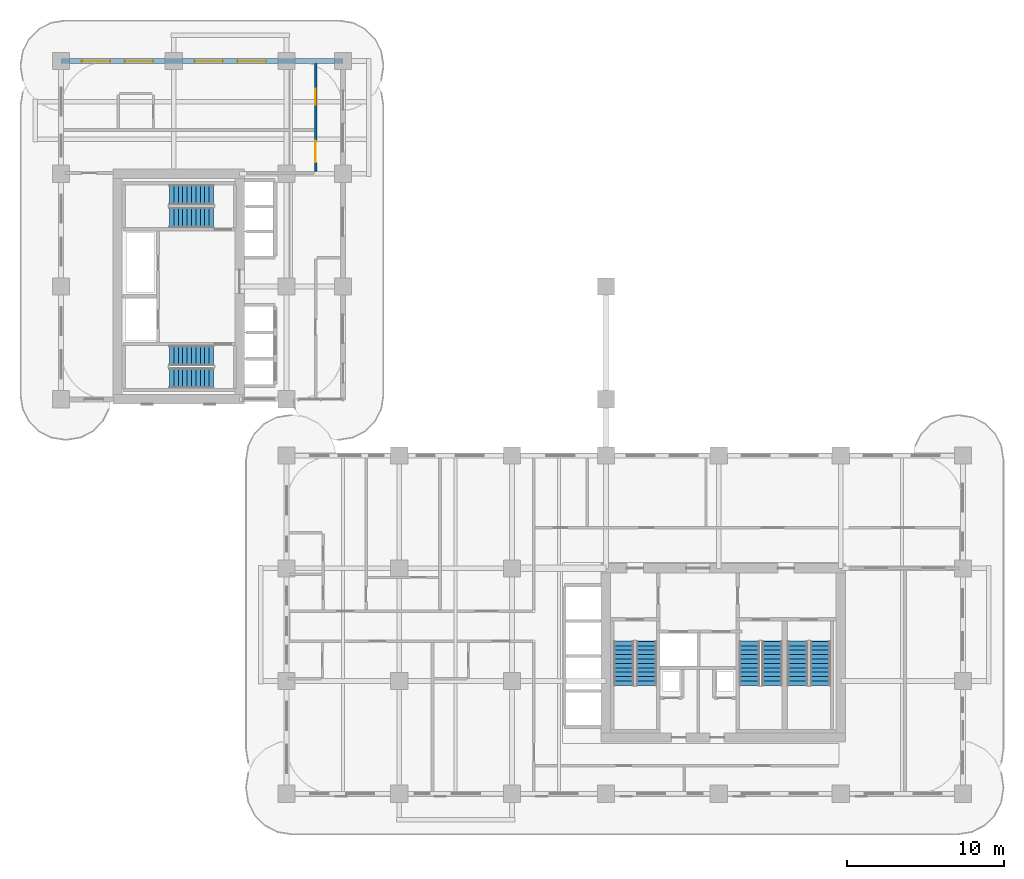
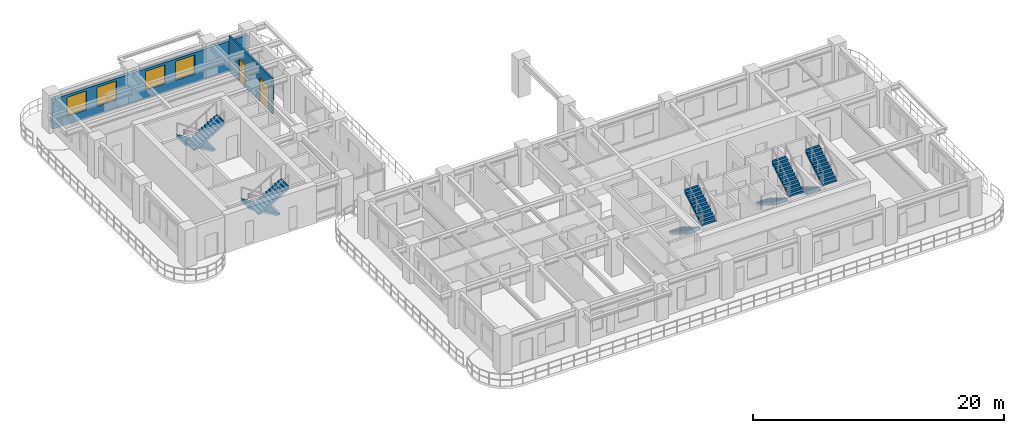
# One storey, part 12 of 19: 10 stair flights, 4 windows, 2 doors, 2 walls, 6 openings, 5 elements without a shape of their own.
"""IFC4 building model written with IfcOpenShell, lengths in metres."""

import ifcopenshell
import ifcopenshell.guid

model = None  # the IFC model being written
_history = None  # IfcOwnerHistory: only IFC2X3 demands one
_inside = {}  # id of a spatial element -> (the spatial element, [elements in it])
_under = {}  # id of a project, library or spatial element -> (it, [spatial elements below it])
_declared = {}  # id of a project -> (the project, [libraries it declares])
_typed = {}  # id of a type object -> (the type object, [elements of that type])
_made_of = {}  # id of a material, layer set ... -> (it, [elements and type objects made of it])


def new_model(schema):
    """Start an empty IFC model of exactly this schema.

    Asked for "IFC4X3", IfcOpenShell would pick the latest addendum, in which some entities
    have other attributes; the version numbers below select the first issue.
    IFC2X3 requires an IfcOwnerHistory on every rooted entity: one is made here for all.
    """
    global model, _history
    if schema == "IFC4X3":
        model = ifcopenshell.file(schema_version=(4, 3, 0, 0))
    else:
        model = ifcopenshell.file(schema=schema)
    _inside.clear()
    _under.clear()
    _declared.clear()
    _typed.clear()
    _made_of.clear()
    _history = None
    if model.schema == "IFC2X3":
        org = make("IfcOrganization", Name="unknown")
        user = make(
            "IfcPersonAndOrganization",
            ThePerson=make("IfcPerson", FamilyName="unknown"),
            TheOrganization=org,
        )
        app = make(
            "IfcApplication",
            ApplicationDeveloper=org,
            Version="unknown",
            ApplicationFullName="unknown",
            ApplicationIdentifier="unknown",
        )
        _history = make(
            "IfcOwnerHistory",
            OwningUser=user,
            OwningApplication=app,
            ChangeAction="ADDED",
            CreationDate=0,
        )
    return model


def make(cls, **values):
    """One entity of the class cls with the attributes given. An attribute that is None is left unset."""
    return model.create_entity(
        cls, **{name: value for name, value in values.items() if value is not None}
    )


def rooted(cls, **values):
    """An entity with a GlobalId (a new one), such as an element, a storey or a relation."""
    return make(cls, GlobalId=ifcopenshell.guid.new(), OwnerHistory=_history, **values)


def si_unit(unit_type, name, prefix=None):
    """IfcSIUnit, for example si_unit("LENGTHUNIT", "METRE", prefix="MILLI")."""
    return make("IfcSIUnit", UnitType=unit_type, Prefix=prefix, Name=name)


def derived_unit(unit_type, elements):
    """IfcDerivedUnit: a product of units, each with its exponent."""
    return make(
        "IfcDerivedUnit",
        Elements=[
            make("IfcDerivedUnitElement", Unit=unit, Exponent=power)
            for unit, power in elements
        ],
        UnitType=unit_type,
    )


def assignment(units):
    """IfcUnitAssignment: the units of a project."""
    return None if units is None else make("IfcUnitAssignment", Units=units)


def point(xyz):
    """IfcCartesianPoint."""
    return None if xyz is None else make("IfcCartesianPoint", Coordinates=xyz)


def direction(xyz):
    """IfcDirection."""
    return None if xyz is None else make("IfcDirection", DirectionRatios=xyz)


def frame(location, z_axis=None, x_axis=None):
    """IfcAxis2Placement3D, a coordinate frame: its origin and axes. An axis left out is left unset."""
    return make(
        "IfcAxis2Placement3D",
        Location=point(location),
        Axis=direction(z_axis),
        RefDirection=direction(x_axis),
    )


def frame_2d(location, x_axis=None):
    """IfcAxis2Placement2D, a coordinate frame in the plane: its origin and x axis."""
    return make(
        "IfcAxis2Placement2D", Location=point(location), RefDirection=direction(x_axis)
    )


def origin():
    """The frame at (0, 0, 0) with its axes left unset."""
    return frame((0.0, 0.0, 0.0))


def place(relative_to, where):
    """IfcLocalPlacement: puts the frame where relative to a parent placement (None: the world)."""
    return make(
        "IfcLocalPlacement", PlacementRelTo=relative_to, RelativePlacement=where
    )


def context(
    kind, dimensions, precision=None, world=None, true_north=None, identifier=None
):
    """IfcGeometricRepresentationContext, for example the 3D "Model" context."""
    return make(
        "IfcGeometricRepresentationContext",
        ContextIdentifier=identifier,
        ContextType=kind,
        CoordinateSpaceDimension=dimensions,
        Precision=precision,
        WorldCoordinateSystem=world,
        TrueNorth=true_north,
    )


def subcontext(parent, identifier, kind, view, scale=None):
    """IfcGeometricRepresentationSubContext, for example "Body" below "Model"."""
    return make(
        "IfcGeometricRepresentationSubContext",
        ContextIdentifier=identifier,
        ContextType=kind,
        ParentContext=parent,
        TargetScale=scale,
        TargetView=view,
    )


def project(units=None, contexts=None):
    """IfcProject with its units and contexts."""
    return rooted(
        "IfcProject",
        Name="project",
        RepresentationContexts=contexts,
        UnitsInContext=assignment(units),
    )


def spatial(cls, under=None, at=None, **own):
    """A site, building, storey or space (cls), placed at a placement, below another one or the project."""
    s = rooted(cls, ObjectPlacement=at, **own)
    if under is not None:
        _under.setdefault(under.id(), (under, []))[1].append(s)
    return s


def polyline(points):
    """IfcPolyline through the points."""
    return make("IfcPolyline", Points=[point(p) for p in points])


def profile(cls, at=None, kind="AREA", **sizes):
    """A parametric profile (cls). Its sizes go by their IFC names, for example OverallWidth=200.0."""
    return make(cls, ProfileType=kind, Position=at, **sizes)


def rectangle(**sizes):
    """IfcRectangleProfileDef."""
    return profile("IfcRectangleProfileDef", **sizes)


def outline(outer, holes=None, kind="AREA"):
    """IfcArbitraryClosedProfileDef: a profile drawn as a closed curve; with holes, ...WithVoids."""
    if holes is None:
        return make("IfcArbitraryClosedProfileDef", ProfileType=kind, OuterCurve=outer)
    return make(
        "IfcArbitraryProfileDefWithVoids",
        ProfileType=kind,
        OuterCurve=outer,
        InnerCurves=holes,
    )


def extrude(swept, where, along, depth):
    """IfcExtrudedAreaSolid: the profile swept, set in the frame where, extruded along a direction by depth."""
    return make(
        "IfcExtrudedAreaSolid",
        SweptArea=swept,
        Position=where,
        ExtrudedDirection=direction(along),
        Depth=depth,
    )


def shape(context_of_items, identifier, shape_type, items):
    """IfcShapeRepresentation: the items that make up one representation, for example the "Body"."""
    return make(
        "IfcShapeRepresentation",
        ContextOfItems=context_of_items,
        RepresentationIdentifier=identifier,
        RepresentationType=shape_type,
        Items=items,
    )


def source(mapping_origin, context_of_items, identifier, shape_type, items):
    """IfcRepresentationMap: a shape defined once, which mapped items show again and again."""
    return make(
        "IfcRepresentationMap",
        MappingOrigin=mapping_origin,
        MappedRepresentation=shape(context_of_items, identifier, shape_type, items),
    )


def transform(
    local_origin,
    x_axis=None,
    y_axis=None,
    z_axis=None,
    scale=None,
    scale2=None,
    scale3=None,
    uniform=True,
):
    """IfcCartesianTransformationOperator3D, or its non-uniform kind. x_axis, y_axis, z_axis: its Axis1, 2, 3."""
    if uniform:
        return make(
            "IfcCartesianTransformationOperator3D",
            Axis1=direction(x_axis),
            Axis2=direction(y_axis),
            LocalOrigin=point(local_origin),
            Scale=scale,
            Axis3=direction(z_axis),
        )
    return make(
        "IfcCartesianTransformationOperator3DnonUniform",
        Axis1=direction(x_axis),
        Axis2=direction(y_axis),
        LocalOrigin=point(local_origin),
        Scale=scale,
        Axis3=direction(z_axis),
        Scale2=scale2,
        Scale3=scale3,
    )


def mapped(mapping_source, mapping_target):
    """IfcMappedItem: shows the shape of a source again, moved by a transform."""
    return make(
        "IfcMappedItem", MappingSource=mapping_source, MappingTarget=mapping_target
    )


def material(Name=None, Category=None):
    """IfcMaterial."""
    return make("IfcMaterial", Name=Name, Category=Category)


def layer(
    of_material, thickness, ventilated=None, Name=None, Category=None, Priority=None
):
    """IfcMaterialLayer: one layer of a wall or slab, of a material (None: an air gap)."""
    return make(
        "IfcMaterialLayer",
        Material=of_material,
        LayerThickness=thickness,
        IsVentilated=ventilated,
        Name=Name,
        Category=Category,
        Priority=Priority,
    )


def layer_set(layers, Name=None):
    """IfcMaterialLayerSet."""
    return make("IfcMaterialLayerSet", MaterialLayers=layers, LayerSetName=Name)


def made_of(thing, what):
    """Note that an element or type object is made of a material, layer set ...; save() writes the relation."""
    if what is not None:
        _made_of.setdefault(what.id(), (what, []))[1].append(thing)
    return thing


def type_object(cls, material=None, **own):
    """A type object (cls), such as IfcWallType, which elements share."""
    return made_of(rooted(cls, **own), material)


def type_shapes(of_type, sources):
    """Give a type object the sources (RepresentationMaps) that its elements show as mapped items."""
    of_type.RepresentationMaps = sources


def element(
    cls,
    number,
    at=None,
    inside=None,
    cuts=None,
    type_object=None,
    material=None,
    context=None,
    identifier="Body",
    shape_type=None,
    held_by="IfcProductDefinitionShape",
    body=None,
    shapes=None,
    **own,
):
    """One element of the class cls, such as IfcWall. Its Tag is "e" and its number.

    at: its placement. inside: the storey or other place that contains it. cuts: it is an
    opening in that element (IfcRelVoidsElement). A single representation is given by context,
    identifier, shape_type and body (its items); several are given by shapes. held_by: the class
    of the entity that holds the representations. save() writes the other relations.
    """
    e = rooted(cls, Tag="e%d" % number, ObjectPlacement=at, **own)
    if body is not None:
        shapes = [shape(context, identifier, shape_type, body)]
    if shapes is not None:
        e.Representation = make(held_by, Representations=shapes)
    if inside is not None:
        _inside.setdefault(inside.id(), (inside, []))[1].append(e)
    if cuts is not None:
        rooted(
            "IfcRelVoidsElement", RelatingBuildingElement=cuts, RelatedOpeningElement=e
        )
    if type_object is not None:
        _typed.setdefault(type_object.id(), (type_object, []))[1].append(e)
    return made_of(e, material)


def fill(opening, filler):
    """IfcRelFillsElement: the door or window that sits in an opening."""
    return rooted(
        "IfcRelFillsElement",
        RelatingOpeningElement=opening,
        RelatedBuildingElement=filler,
    )


def aggregate(whole, parts):
    """IfcRelAggregates: a whole, such as a stair, and the parts it consists of."""
    return rooted("IfcRelAggregates", RelatingObject=whole, RelatedObjects=parts)


def save(model, path):
    """Write the relations noted so far, then the file.

    IfcRelAggregates (storeys below a building ...), IfcRelContainedInSpatialStructure (elements
    in a storey), IfcRelDefinesByType, IfcRelAssociatesMaterial and IfcRelDeclares: one each for
    every whole, place, type object, material and project.
    """
    for whole, parts in _under.values():
        aggregate(whole, parts)
    for where, things in _inside.values():
        rooted(
            "IfcRelContainedInSpatialStructure",
            RelatedElements=things,
            RelatingStructure=where,
        )
    for kind, things in _typed.values():
        rooted("IfcRelDefinesByType", RelatedObjects=things, RelatingType=kind)
    for what, things in _made_of.values():
        rooted("IfcRelAssociatesMaterial", RelatedObjects=things, RelatingMaterial=what)
    for by, libraries in _declared.values():
        rooted("IfcRelDeclares", RelatingContext=by, RelatedDefinitions=libraries)
    model.write(path)


model = new_model("IFC4")

# Units and contexts
model_context = context("Model", 3, precision=1e-05, world=origin(), true_north=direction((0.0, 1.0)))
body_context = subcontext(model_context, "Body", "Model", "MODEL_VIEW")
ifc_project = project(units=[si_unit("LENGTHUNIT", "METRE"), si_unit("AREAUNIT", "SQUARE_METRE"), si_unit("VOLUMEUNIT", "CUBIC_METRE"), si_unit("PLANEANGLEUNIT", "RADIAN"), si_unit("MASSUNIT", "GRAM", prefix="KILO"), si_unit("THERMODYNAMICTEMPERATUREUNIT", "KELVIN"), si_unit("POWERUNIT", "WATT"), derived_unit("THERMALTRANSMITTANCEUNIT", [(si_unit("POWERUNIT", "WATT"), 1), (si_unit("AREAUNIT", "SQUARE_METRE"), -1), (si_unit("THERMODYNAMICTEMPERATUREUNIT", "KELVIN"), -1)])], contexts=[model_context])

# Site, building, storey
site_placement = place(None, origin())
site = spatial("IfcSite", under=ifc_project, at=site_placement, CompositionType="ELEMENT")
building_placement = place(site_placement, origin())
building = spatial("IfcBuilding", under=site, at=building_placement, Name="Zahravan Archway Hotel and Residences", CompositionType="ELEMENT")
storey_placement = place(building_placement, frame((0.0, 0.0, 47.199951171875)))
storey = spatial("IfcBuildingStorey", under=building, at=storey_placement, Name="L10", CompositionType="ELEMENT", Elevation=47.199951171875)

# Wall, openings, windows
ifc_material_1 = material(Name="Agra Buff Sandstone & Insulated Backup", Category="masonry")
ifc_layer_1 = layer(ifc_material_1, 0.320068359375, Name="Agra Buff Sandstone & Insulated Backup", Category="masonry")
ifc_layer_set_1 = layer_set([ifc_layer_1], Name="Agra Buff Sandstone & Insulated Backup")
wall_type_1 = type_object("IfcWallType", Name="EW-SAND-320", PredefinedType="SOLIDWALL", material=ifc_layer_set_1)
wall_1_placement = place(storey_placement, frame((0.0, 46.800048828125, 0.0), z_axis=(0.0, 0.0, 1.0), x_axis=(1.0, 0.0, 0.0)))
wall_1 = element("IfcWall", 1, at=wall_1_placement, inside=storey, type_object=wall_type_1, Name="L10 Exterior Sandstone Wall WB-N", PredefinedType="SOLIDWALL", context=body_context, shape_type="SweptSolid", body=[
    extrude(rectangle(XDim=18.0, YDim=0.320068359375, at=frame_2d((9.0, 0.0))), origin(), (0.0, 0.0, 1.0), 2.885009765625),
])
opening_1_placement = place(wall_1_placement, frame((1.324951171875, 0.0, 0.800048828125)))
opening_1 = element("IfcOpeningElement", 2, at=opening_1_placement, cuts=wall_1, Name="Opening W-02", PredefinedType="OPENING", context=body_context, shape_type="SweptSolid", body=[
    extrude(rectangle(XDim=1.800048828125, YDim=1.85009765625, at=frame_2d((0.89990234375, 0.925048828125))), frame((0.0, 0.169921875, 0.0), z_axis=(0.0, -1.0, 0.0), x_axis=(1.0, 0.0, 0.0)), (0.0, 0.0, 1.0), 0.340087890625),
])
opening_2_placement = place(wall_1_placement, frame((4.074951171875, 0.0, 0.800048828125)))
opening_2 = element("IfcOpeningElement", 3, at=opening_2_placement, cuts=wall_1, Name="Opening W-02", PredefinedType="OPENING", context=body_context, shape_type="SweptSolid", body=[
    extrude(rectangle(XDim=1.800048828125, YDim=1.85009765625, at=frame_2d((0.89990234375, 0.925048828125))), frame((0.0, 0.169921875, 0.0), z_axis=(0.0, -1.0, 0.0), x_axis=(1.0, 0.0, 0.0)), (0.0, 0.0, 1.0), 0.340087890625),
])
opening_3_placement = place(wall_1_placement, frame((8.52490234375, 0.0, 0.800048828125)))
opening_3 = element("IfcOpeningElement", 4, at=opening_3_placement, cuts=wall_1, Name="Opening W-02", PredefinedType="OPENING", context=body_context, shape_type="SweptSolid", body=[
    extrude(rectangle(XDim=1.800048828125, YDim=1.85009765625, at=frame_2d((0.89990234375, 0.925048828125))), frame((0.0, 0.169921875, 0.0), z_axis=(0.0, -1.0, 0.0), x_axis=(1.0, 0.0, 0.0)), (0.0, 0.0, 1.0), 0.340087890625),
])
opening_4_placement = place(wall_1_placement, frame((11.27490234375, 0.0, 0.800048828125)))
opening_4 = element("IfcOpeningElement", 5, at=opening_4_placement, cuts=wall_1, Name="Opening W-02", PredefinedType="OPENING", context=body_context, shape_type="SweptSolid", body=[
    extrude(rectangle(XDim=1.800048828125, YDim=1.85009765625, at=frame_2d((0.89990234375, 0.925048828125))), frame((0.0, 0.169921875, 0.0), z_axis=(0.0, -1.0, 0.0), x_axis=(1.0, 0.0, 0.0)), (0.0, 0.0, 1.0), 0.340087890625),
])
ifc_material_2 = material(Name="Bronze-Anodized Thermal-Break Aluminium & Low-E Glass", Category="aluminium")
window_type = type_object("IfcWindowType", Name="WIN-TWR-1800", PartitioningType="DOUBLE_PANEL_VERTICAL", PredefinedType="WINDOW", material=ifc_material_2)
shared_shape_1 = source(origin(), body_context, "Body", "SweptSolid", [
    extrude(rectangle(XDim=1.800048828125, YDim=1.85009765625, at=frame_2d((0.89990234375, 0.925048828125))), frame((0.0, 0.030029296875, 0.0), z_axis=(0.0, -1.0, 0.0), x_axis=(1.0, 0.0, 0.0)), (0.0, 0.0, 1.0), 0.06005859375),
])
type_shapes(window_type, [shared_shape_1])
window_1_placement = place(opening_1_placement, origin())
window_1 = element("IfcWindow", 6, at=window_1_placement, inside=storey, type_object=window_type, Name="L10 Loggia Window 38", OverallHeight=1.85009765625, OverallWidth=1.800048828125, PartitioningType="DOUBLE_PANEL_VERTICAL", PredefinedType="WINDOW", context=body_context, shape_type="MappedRepresentation", body=[
    mapped(shared_shape_1, transform((0.0, 0.0, 0.0), scale=1.0)),
])
fill(opening_1, window_1)
window_2_placement = place(opening_2_placement, origin())
window_2 = element("IfcWindow", 7, at=window_2_placement, inside=storey, type_object=window_type, Name="L10 Loggia Window 39", OverallHeight=1.85009765625, OverallWidth=1.800048828125, PartitioningType="DOUBLE_PANEL_VERTICAL", PredefinedType="WINDOW", context=body_context, shape_type="MappedRepresentation", body=[
    mapped(shared_shape_1, transform((0.0, 0.0, 0.0), scale=1.0)),
])
fill(opening_2, window_2)
window_3_placement = place(opening_3_placement, origin())
window_3 = element("IfcWindow", 8, at=window_3_placement, inside=storey, type_object=window_type, Name="L10 Loggia Window 40", OverallHeight=1.85009765625, OverallWidth=1.800048828125, PartitioningType="DOUBLE_PANEL_VERTICAL", PredefinedType="WINDOW", context=body_context, shape_type="MappedRepresentation", body=[
    mapped(shared_shape_1, transform((0.0, 0.0, 0.0), scale=1.0)),
])
fill(opening_3, window_3)
window_4_placement = place(opening_4_placement, origin())
window_4 = element("IfcWindow", 9, at=window_4_placement, inside=storey, type_object=window_type, Name="L10 Loggia Window 41", OverallHeight=1.85009765625, OverallWidth=1.800048828125, PartitioningType="DOUBLE_PANEL_VERTICAL", PredefinedType="WINDOW", context=body_context, shape_type="MappedRepresentation", body=[
    mapped(shared_shape_1, transform((0.0, 0.0, 0.0), scale=1.0)),
])
fill(opening_4, window_4)

# Wall, openings, doors
ifc_material_3 = material(Name="Fire-Rated Gypsum & Concrete Block", Category="concrete")
ifc_layer_2 = layer(ifc_material_3, 0.159912109375, Name="Fire-Rated Gypsum & Concrete Block", Category="concrete")
ifc_layer_set_2 = layer_set([ifc_layer_2], Name="Fire-Rated Gypsum & Concrete Block")
wall_type_2 = type_object("IfcWallType", Name="PW-CORR-160", PredefinedType="PARTITIONING", material=ifc_layer_set_2)
wall_2_placement = place(storey_placement, frame((16.25, 39.739990234375, 0.0), z_axis=(0.0, 0.0, 1.0), x_axis=(0.0, 1.0, 0.0)))
wall_2 = element("IfcWall", 10, at=wall_2_placement, inside=storey, type_object=wall_type_2, Name="L10 Partition WB-CN", PredefinedType="PARTITIONING", context=body_context, shape_type="SweptSolid", body=[
    extrude(rectangle(XDim=6.89208984375, YDim=0.159912109375, at=frame_2d((3.446044921875, 0.0))), origin(), (0.0, 0.0, 1.0), 3.449951171875),
])
opening_5_placement = place(wall_2_placement, frame((0.5849609375, 0.0, 0.0)))
opening_5 = element("IfcOpeningElement", 11, at=opening_5_placement, cuts=wall_2, Name="Opening D-P1", PredefinedType="OPENING", context=body_context, shape_type="SweptSolid", body=[
    extrude(rectangle(XDim=1.39990234375, YDim=2.35009765625, at=frame_2d((0.699951171875, 1.175048828125))), frame((0.0, 0.08984375, 0.0), z_axis=(0.0, -1.0, 0.0), x_axis=(1.0, 0.0, 0.0)), (0.0, 0.0, 1.0), 0.179931640625),
])
opening_6_placement = place(wall_2_placement, frame((4.284912109375, 0.0, 0.0)))
opening_6 = element("IfcOpeningElement", 12, at=opening_6_placement, cuts=wall_2, Name="Opening D-U2", PredefinedType="OPENING", context=body_context, shape_type="SweptSolid", body=[
    extrude(rectangle(XDim=1.0, YDim=2.199951171875, at=frame_2d((0.5, 1.10009765625))), frame((0.0, 0.08984375, 0.0), z_axis=(0.0, -1.0, 0.0), x_axis=(1.0, 0.0, 0.0)), (0.0, 0.0, 1.0), 0.179931640625),
])
ifc_material_4 = material(Name="Bronze-Anodized Glazed Aluminium", Category="aluminium")
door_type_1 = type_object("IfcDoorType", Name="ID-PUBLIC-1400", OperationType="DOUBLE_DOOR_SINGLE_SWING", PredefinedType="DOOR", material=ifc_material_4)
shared_shape_2 = source(origin(), body_context, "Body", "SweptSolid", [
    extrude(rectangle(XDim=1.39990234375, YDim=2.35009765625, at=frame_2d((0.699951171875, 1.175048828125))), frame((0.0, 0.02490234375, 0.0), z_axis=(0.0, -1.0, 0.0), x_axis=(1.0, 0.0, 0.0)), (0.0, 0.0, 1.0), 0.050048828125),
])
type_shapes(door_type_1, [shared_shape_2])
door_1_placement = place(opening_5_placement, origin())
door_1 = element("IfcDoor", 13, at=door_1_placement, inside=storey, type_object=door_type_1, Name="L10 Wing B Wellness Lounge Door", OperationType="DOUBLE_DOOR_SINGLE_SWING", OverallHeight=2.35009765625, OverallWidth=1.39990234375, PredefinedType="DOOR", context=body_context, shape_type="MappedRepresentation", body=[
    mapped(shared_shape_2, transform((0.0, 0.0, 0.0), scale=1.0)),
])
fill(opening_5, door_1)
ifc_material_5 = material(Name="Hardwood Veneer Timber", Category="wood")
door_type_2 = type_object("IfcDoorType", Name="ID-UNIT-1000", OperationType="NOTDEFINED", PredefinedType="DOOR", material=ifc_material_5)
shared_shape_3 = source(origin(), body_context, "Body", "SweptSolid", [
    extrude(rectangle(XDim=1.0, YDim=2.199951171875, at=frame_2d((0.5, 1.10009765625))), frame((0.0, 0.02490234375, 0.0), z_axis=(0.0, -1.0, 0.0), x_axis=(1.0, 0.0, 0.0)), (0.0, 0.0, 1.0), 0.050048828125),
])
type_shapes(door_type_2, [shared_shape_3])
door_2_placement = place(opening_6_placement, origin())
door_2 = element("IfcDoor", 14, at=door_2_placement, inside=storey, type_object=door_type_2, Name="L10 Hotel Guestroom 63 Entrance Door", OperationType="SINGLE_SWING_RIGHT", OverallHeight=2.199951171875, OverallWidth=1.0, PredefinedType="DOOR", context=body_context, shape_type="MappedRepresentation", body=[
    mapped(shared_shape_3, transform((0.0, 0.0, 0.0), scale=1.0)),
])
fill(opening_6, door_2)

# Stair, stair flights
ifc_material_6 = material(Name="Concrete C50/60", Category="concrete")
stair_type = type_object("IfcStairType", Name="STR-CORE-1300", PredefinedType="HALF_TURN_STAIR", material=ifc_material_6)
stair_1_placement = place(storey_placement, origin())
stair_1 = element("IfcStair", 15, at=stair_1_placement, inside=storey, type_object=stair_type, Name="L10 Core A Exit Stair 1", PredefinedType="HALF_TURN_STAIR")
ifc_layer_3 = layer(ifc_material_6, 0.199951171875, Name="Concrete C50/60", Category="concrete")
ifc_layer_set_3 = layer_set([ifc_layer_3], Name="Concrete C50/60")
stair_flight_type = type_object("IfcStairFlightType", Name="SFL-CORE-1300", PredefinedType="STRAIGHT", material=ifc_layer_set_3)
shared_shape_4 = source(origin(), body_context, "Body", "SweptSolid", [
    extrude(outline(polyline([(-0.01611328125, 0.0), (-0.01611328125, 0.168212890625), (0.280029296875, 0.168212890625), (0.280029296875, 0.33642578125), (0.56005859375, 0.33642578125), (0.56005859375, 0.504638671875), (0.840087890625, 0.504638671875), (0.840087890625, 0.672607421875), (1.1201171875, 0.672607421875), (1.1201171875, 0.8408203125), (1.39990234375, 0.8408203125), (1.39990234375, 1.009033203125), (1.679931640625, 1.009033203125), (1.679931640625, 1.17724609375), (1.9599609375, 1.17724609375), (1.9599609375, 1.345458984375), (2.239990234375, 1.345458984375), (2.239990234375, 1.513671875), (2.52001953125, 1.513671875), (2.52001953125, 1.681884765625), (2.800048828125, 1.681884765625), (2.800048828125, 1.85009765625), (2.816162109375, 1.85009765625), (2.816162109375, 1.5068359375), (0.291015625, 0.0), (-0.01611328125, 0.0)])), frame((0.0, 0.64990234375, 0.0), z_axis=(0.0, -1.0, 0.0), x_axis=(1.0, 0.0, 0.0)), (0.0, 0.0, 1.0), 1.300048828125),
])
stair_flight_1_placement = place(storey_placement, frame((35.949951171875, 9.72998046875, 0.0), z_axis=(0.0, 0.0, 1.0), x_axis=(0.0, -1.0, 0.0)))
stair_flight_1 = element("IfcStairFlight", 16, at=stair_flight_1_placement, type_object=stair_flight_type, Name="ST-A1 flight 1", NumberOfRisers=11, NumberOfTreads=10, PredefinedType="STRAIGHT", RiserHeight=0.168181818, TreadLength=0.28, context=body_context, shape_type="MappedRepresentation", body=[
    mapped(shared_shape_4, transform((0.0, 0.0, 0.0), scale=1.0)),
])
stair_flight_2_placement = place(storey_placement, frame((37.389892578125, 6.929931640625, 1.85009765625), z_axis=(0.0, 0.0, 1.0), x_axis=(0.0, 1.0, 0.0)))
stair_flight_2 = element("IfcStairFlight", 17, at=stair_flight_2_placement, type_object=stair_flight_type, Name="ST-A1 flight 2", NumberOfRisers=11, NumberOfTreads=10, PredefinedType="STRAIGHT", RiserHeight=0.168181818, TreadLength=0.28, context=body_context, shape_type="MappedRepresentation", body=[
    mapped(shared_shape_4, transform((0.0, 0.0, 0.0), scale=1.0)),
])
aggregate(stair_1, [stair_flight_1, stair_flight_2])

stair_2_placement = place(storey_placement, origin())
stair_2 = element("IfcStair", 18, at=stair_2_placement, inside=storey, type_object=stair_type, Name="L10 Core A Exit Stair 2", PredefinedType="HALF_TURN_STAIR")
stair_flight_3_placement = place(storey_placement, frame((43.969970703125, 9.72998046875, 0.0), z_axis=(0.0, 0.0, 1.0), x_axis=(0.0, -1.0, 0.0)))
stair_flight_3 = element("IfcStairFlight", 19, at=stair_flight_3_placement, type_object=stair_flight_type, Name="ST-A2 flight 1", NumberOfRisers=11, NumberOfTreads=10, PredefinedType="STRAIGHT", RiserHeight=0.168181818, TreadLength=0.28, context=body_context, shape_type="MappedRepresentation", body=[
    mapped(shared_shape_4, transform((0.0, 0.0, 0.0), scale=1.0)),
])
stair_flight_4_placement = place(storey_placement, frame((45.409912109375, 6.929931640625, 1.85009765625), z_axis=(0.0, 0.0, 1.0), x_axis=(0.0, 1.0, 0.0)))
stair_flight_4 = element("IfcStairFlight", 20, at=stair_flight_4_placement, type_object=stair_flight_type, Name="ST-A2 flight 2", NumberOfRisers=11, NumberOfTreads=10, PredefinedType="STRAIGHT", RiserHeight=0.168181818, TreadLength=0.28, context=body_context, shape_type="MappedRepresentation", body=[
    mapped(shared_shape_4, transform((0.0, 0.0, 0.0), scale=1.0)),
])
aggregate(stair_2, [stair_flight_3, stair_flight_4])

stair_3_placement = place(storey_placement, origin())
stair_3 = element("IfcStair", 21, at=stair_3_placement, inside=storey, type_object=stair_type, Name="L10 Core A Exit Stair 3", PredefinedType="HALF_TURN_STAIR")
stair_flight_5_placement = place(storey_placement, frame((47.050048828125, 9.72998046875, 0.0), z_axis=(0.0, 0.0, 1.0), x_axis=(0.0, -1.0, 0.0)))
stair_flight_5 = element("IfcStairFlight", 22, at=stair_flight_5_placement, type_object=stair_flight_type, Name="ST-A3 flight 1", NumberOfRisers=11, NumberOfTreads=10, PredefinedType="STRAIGHT", RiserHeight=0.168181818, TreadLength=0.28, context=body_context, shape_type="MappedRepresentation", body=[
    mapped(shared_shape_4, transform((0.0, 0.0, 0.0), scale=1.0)),
])
stair_flight_6_placement = place(storey_placement, frame((48.489990234375, 6.929931640625, 1.85009765625), z_axis=(0.0, 0.0, 1.0), x_axis=(0.0, 1.0, 0.0)))
stair_flight_6 = element("IfcStairFlight", 23, at=stair_flight_6_placement, type_object=stair_flight_type, Name="ST-A3 flight 2", NumberOfRisers=11, NumberOfTreads=10, PredefinedType="STRAIGHT", RiserHeight=0.168181818, TreadLength=0.28, context=body_context, shape_type="MappedRepresentation", body=[
    mapped(shared_shape_4, transform((0.0, 0.0, 0.0), scale=1.0)),
])
aggregate(stair_3, [stair_flight_5, stair_flight_6])

stair_4_placement = place(storey_placement, origin())
stair_4 = element("IfcStair", 24, at=stair_4_placement, inside=storey, type_object=stair_type, Name="L10 Core B Exit Stair 1", PredefinedType="HALF_TURN_STAIR")
stair_flight_7_placement = place(storey_placement, frame((9.72998046875, 27.989990234375, 0.0), z_axis=(0.0, 0.0, 1.0), x_axis=(-1.0, 0.0, 0.0)))
stair_flight_7 = element("IfcStairFlight", 25, at=stair_flight_7_placement, type_object=stair_flight_type, Name="ST-B1 flight 1", NumberOfRisers=11, NumberOfTreads=10, PredefinedType="STRAIGHT", RiserHeight=0.168181818, TreadLength=0.28, context=body_context, shape_type="MappedRepresentation", body=[
    mapped(shared_shape_4, transform((0.0, 0.0, 0.0), scale=1.0)),
])
stair_flight_8_placement = place(storey_placement, frame((6.929931640625, 26.550048828125, 1.85009765625), z_axis=(0.0, 0.0, 1.0), x_axis=(1.0, 0.0, 0.0)))
stair_flight_8 = element("IfcStairFlight", 26, at=stair_flight_8_placement, type_object=stair_flight_type, Name="ST-B1 flight 2", NumberOfRisers=11, NumberOfTreads=10, PredefinedType="STRAIGHT", RiserHeight=0.168181818, TreadLength=0.28, context=body_context, shape_type="MappedRepresentation", body=[
    mapped(shared_shape_4, transform((0.0, 0.0, 0.0), scale=1.0)),
])
aggregate(stair_4, [stair_flight_7, stair_flight_8])

stair_5_placement = place(storey_placement, origin())
stair_5 = element("IfcStair", 27, at=stair_5_placement, inside=storey, type_object=stair_type, Name="L10 Core B Exit Stair 2", PredefinedType="HALF_TURN_STAIR")
stair_flight_9_placement = place(storey_placement, frame((9.72998046875, 38.25, 0.0), z_axis=(0.0, 0.0, 1.0), x_axis=(-1.0, 0.0, 0.0)))
stair_flight_9 = element("IfcStairFlight", 28, at=stair_flight_9_placement, type_object=stair_flight_type, Name="ST-B2 flight 1", NumberOfRisers=11, NumberOfTreads=10, PredefinedType="STRAIGHT", RiserHeight=0.168181818, TreadLength=0.28, context=body_context, shape_type="MappedRepresentation", body=[
    mapped(shared_shape_4, transform((0.0, 0.0, 0.0), scale=1.0)),
])
stair_flight_10_placement = place(storey_placement, frame((6.929931640625, 36.81005859375, 1.85009765625), z_axis=(0.0, 0.0, 1.0), x_axis=(1.0, 0.0, 0.0)))
stair_flight_10 = element("IfcStairFlight", 29, at=stair_flight_10_placement, type_object=stair_flight_type, Name="ST-B2 flight 2", NumberOfRisers=11, NumberOfTreads=10, PredefinedType="STRAIGHT", RiserHeight=0.168181818, TreadLength=0.28, context=body_context, shape_type="MappedRepresentation", body=[
    mapped(shared_shape_4, transform((0.0, 0.0, 0.0), scale=1.0)),
])
aggregate(stair_5, [stair_flight_9, stair_flight_10])

save(model, "model.ifc")
